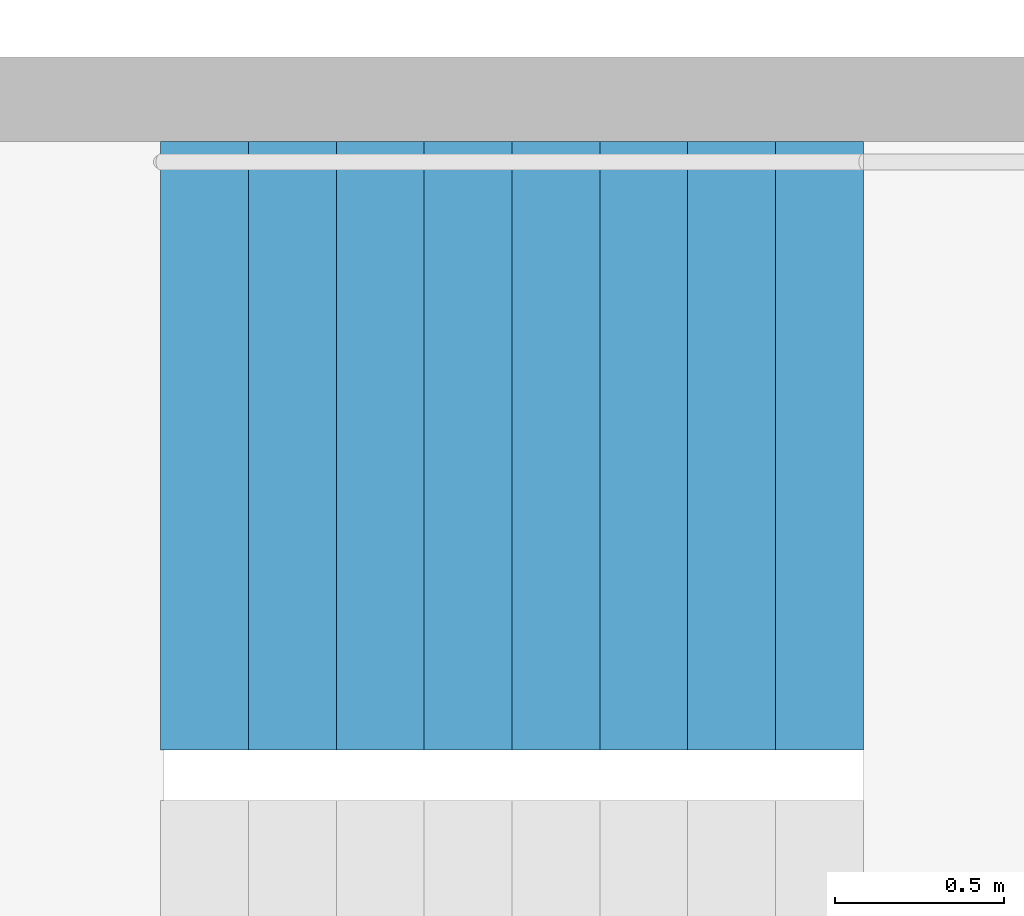
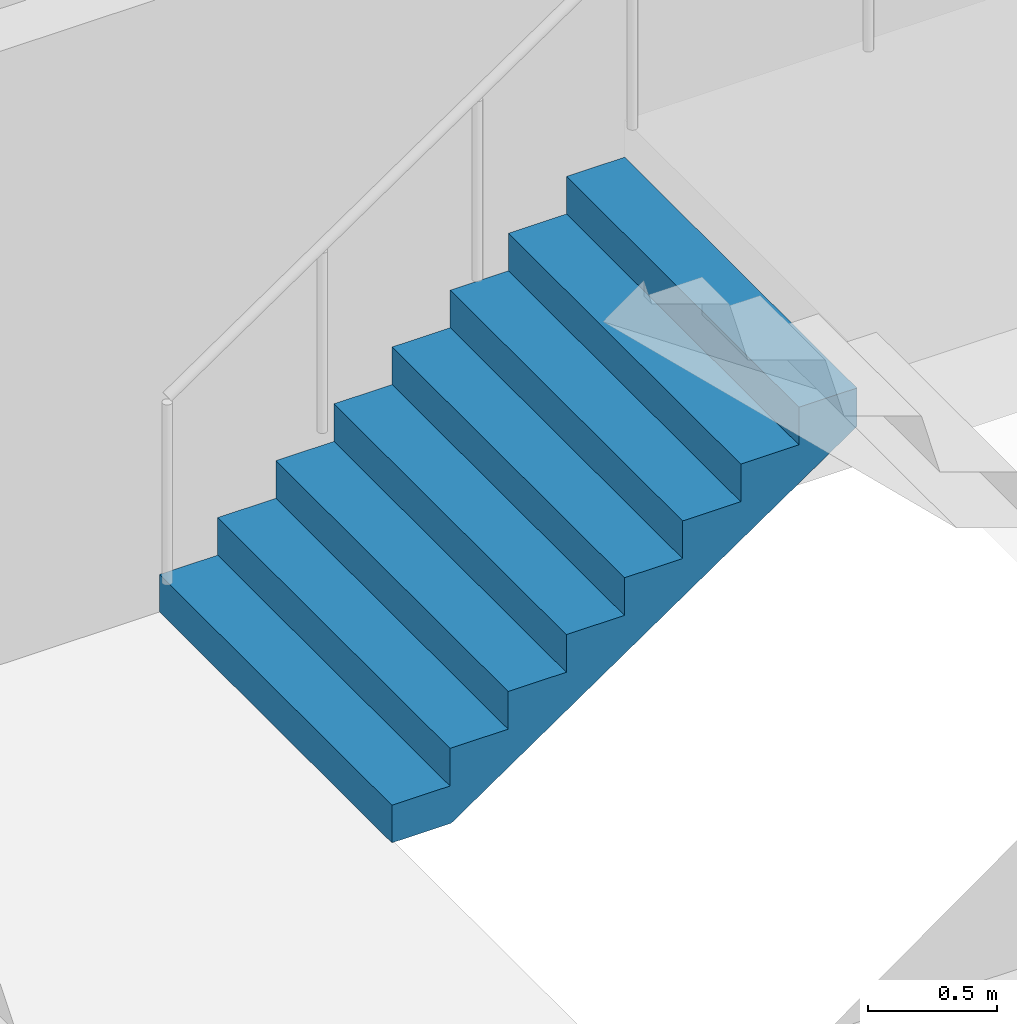
# One storey, part 26 of 29: 1 stair flight, 1 element without a shape of its own.
"""IFC4 building model written with IfcOpenShell, lengths in metres."""

import ifcopenshell
import ifcopenshell.guid

model = None  # the IFC model being written
_history = None  # IfcOwnerHistory: only IFC2X3 demands one
_inside = {}  # id of a spatial element -> (the spatial element, [elements in it])
_under = {}  # id of a project, library or spatial element -> (it, [spatial elements below it])
_declared = {}  # id of a project -> (the project, [libraries it declares])
_typed = {}  # id of a type object -> (the type object, [elements of that type])
_made_of = {}  # id of a material, layer set ... -> (it, [elements and type objects made of it])


def new_model(schema):
    """Start an empty IFC model of exactly this schema.

    Asked for "IFC4X3", IfcOpenShell would pick the latest addendum, in which some entities
    have other attributes; the version numbers below select the first issue.
    IFC2X3 requires an IfcOwnerHistory on every rooted entity: one is made here for all.
    """
    global model, _history
    if schema == "IFC4X3":
        model = ifcopenshell.file(schema_version=(4, 3, 0, 0))
    else:
        model = ifcopenshell.file(schema=schema)
    _inside.clear()
    _under.clear()
    _declared.clear()
    _typed.clear()
    _made_of.clear()
    _history = None
    if model.schema == "IFC2X3":
        org = make("IfcOrganization", Name="unknown")
        user = make(
            "IfcPersonAndOrganization",
            ThePerson=make("IfcPerson", FamilyName="unknown"),
            TheOrganization=org,
        )
        app = make(
            "IfcApplication",
            ApplicationDeveloper=org,
            Version="unknown",
            ApplicationFullName="unknown",
            ApplicationIdentifier="unknown",
        )
        _history = make(
            "IfcOwnerHistory",
            OwningUser=user,
            OwningApplication=app,
            ChangeAction="ADDED",
            CreationDate=0,
        )
    return model


def make(cls, **values):
    """One entity of the class cls with the attributes given. An attribute that is None is left unset."""
    return model.create_entity(
        cls, **{name: value for name, value in values.items() if value is not None}
    )


def rooted(cls, **values):
    """An entity with a GlobalId (a new one), such as an element, a storey or a relation."""
    return make(cls, GlobalId=ifcopenshell.guid.new(), OwnerHistory=_history, **values)


def si_unit(unit_type, name, prefix=None):
    """IfcSIUnit, for example si_unit("LENGTHUNIT", "METRE", prefix="MILLI")."""
    return make("IfcSIUnit", UnitType=unit_type, Prefix=prefix, Name=name)


def assignment(units):
    """IfcUnitAssignment: the units of a project."""
    return None if units is None else make("IfcUnitAssignment", Units=units)


def point(xyz):
    """IfcCartesianPoint."""
    return None if xyz is None else make("IfcCartesianPoint", Coordinates=xyz)


def direction(xyz):
    """IfcDirection."""
    return None if xyz is None else make("IfcDirection", DirectionRatios=xyz)


def frame(location, z_axis=None, x_axis=None):
    """IfcAxis2Placement3D, a coordinate frame: its origin and axes. An axis left out is left unset."""
    return make(
        "IfcAxis2Placement3D",
        Location=point(location),
        Axis=direction(z_axis),
        RefDirection=direction(x_axis),
    )


def origin():
    """The frame at (0, 0, 0) with its axes left unset."""
    return frame((0.0, 0.0, 0.0))


def place(relative_to, where):
    """IfcLocalPlacement: puts the frame where relative to a parent placement (None: the world)."""
    return make(
        "IfcLocalPlacement", PlacementRelTo=relative_to, RelativePlacement=where
    )


def context(
    kind, dimensions, precision=None, world=None, true_north=None, identifier=None
):
    """IfcGeometricRepresentationContext, for example the 3D "Model" context."""
    return make(
        "IfcGeometricRepresentationContext",
        ContextIdentifier=identifier,
        ContextType=kind,
        CoordinateSpaceDimension=dimensions,
        Precision=precision,
        WorldCoordinateSystem=world,
        TrueNorth=true_north,
    )


def subcontext(parent, identifier, kind, view, scale=None):
    """IfcGeometricRepresentationSubContext, for example "Body" below "Model"."""
    return make(
        "IfcGeometricRepresentationSubContext",
        ContextIdentifier=identifier,
        ContextType=kind,
        ParentContext=parent,
        TargetScale=scale,
        TargetView=view,
    )


def project(units=None, contexts=None):
    """IfcProject with its units and contexts."""
    return rooted(
        "IfcProject",
        Name="project",
        RepresentationContexts=contexts,
        UnitsInContext=assignment(units),
    )


def spatial(cls, under=None, at=None, **own):
    """A site, building, storey or space (cls), placed at a placement, below another one or the project."""
    s = rooted(cls, ObjectPlacement=at, **own)
    if under is not None:
        _under.setdefault(under.id(), (under, []))[1].append(s)
    return s


def point_list(points):
    """IfcCartesianPointList2D or 3D."""
    cls = (
        "IfcCartesianPointList2D" if len(points[0]) == 2 else "IfcCartesianPointList3D"
    )
    return make(cls, CoordList=points)


def triangles(points, corners, closed=None, point_numbers=None):
    """IfcTriangulatedFaceSet: each triangle names its three corners, points numbered from 1."""
    return make(
        "IfcTriangulatedFaceSet",
        Coordinates=point_list(points),
        Closed=closed,
        CoordIndex=corners,
        PnIndex=point_numbers,
    )


def shape(context_of_items, identifier, shape_type, items):
    """IfcShapeRepresentation: the items that make up one representation, for example the "Body"."""
    return make(
        "IfcShapeRepresentation",
        ContextOfItems=context_of_items,
        RepresentationIdentifier=identifier,
        RepresentationType=shape_type,
        Items=items,
    )


def material(Name=None, Category=None):
    """IfcMaterial."""
    return make("IfcMaterial", Name=Name, Category=Category)


def made_of(thing, what):
    """Note that an element or type object is made of a material, layer set ...; save() writes the relation."""
    if what is not None:
        _made_of.setdefault(what.id(), (what, []))[1].append(thing)
    return thing


def type_object(cls, material=None, **own):
    """A type object (cls), such as IfcWallType, which elements share."""
    return made_of(rooted(cls, **own), material)


def element(
    cls,
    number,
    at=None,
    inside=None,
    cuts=None,
    type_object=None,
    material=None,
    context=None,
    identifier="Body",
    shape_type=None,
    held_by="IfcProductDefinitionShape",
    body=None,
    shapes=None,
    **own,
):
    """One element of the class cls, such as IfcWall. Its Tag is "e" and its number.

    at: its placement. inside: the storey or other place that contains it. cuts: it is an
    opening in that element (IfcRelVoidsElement). A single representation is given by context,
    identifier, shape_type and body (its items); several are given by shapes. held_by: the class
    of the entity that holds the representations. save() writes the other relations.
    """
    e = rooted(cls, Tag="e%d" % number, ObjectPlacement=at, **own)
    if body is not None:
        shapes = [shape(context, identifier, shape_type, body)]
    if shapes is not None:
        e.Representation = make(held_by, Representations=shapes)
    if inside is not None:
        _inside.setdefault(inside.id(), (inside, []))[1].append(e)
    if cuts is not None:
        rooted(
            "IfcRelVoidsElement", RelatingBuildingElement=cuts, RelatedOpeningElement=e
        )
    if type_object is not None:
        _typed.setdefault(type_object.id(), (type_object, []))[1].append(e)
    return made_of(e, material)


def aggregate(whole, parts):
    """IfcRelAggregates: a whole, such as a stair, and the parts it consists of."""
    return rooted("IfcRelAggregates", RelatingObject=whole, RelatedObjects=parts)


def save(model, path):
    """Write the relations noted so far, then the file.

    IfcRelAggregates (storeys below a building ...), IfcRelContainedInSpatialStructure (elements
    in a storey), IfcRelDefinesByType, IfcRelAssociatesMaterial and IfcRelDeclares: one each for
    every whole, place, type object, material and project.
    """
    for whole, parts in _under.values():
        aggregate(whole, parts)
    for where, things in _inside.values():
        rooted(
            "IfcRelContainedInSpatialStructure",
            RelatedElements=things,
            RelatingStructure=where,
        )
    for kind, things in _typed.values():
        rooted("IfcRelDefinesByType", RelatedObjects=things, RelatingType=kind)
    for what, things in _made_of.values():
        rooted("IfcRelAssociatesMaterial", RelatedObjects=things, RelatingMaterial=what)
    for by, libraries in _declared.values():
        rooted("IfcRelDeclares", RelatingContext=by, RelatedDefinitions=libraries)
    model.write(path)


model = new_model("IFC4")

# Units and contexts
model_context = context("Model", 3, precision=1e-05, world=origin(), true_north=direction((0.0, 1.0)))
body_context = subcontext(model_context, "Body", "Model", "MODEL_VIEW")
ifc_project = project(units=[si_unit("LENGTHUNIT", "METRE"), si_unit("AREAUNIT", "SQUARE_METRE"), si_unit("VOLUMEUNIT", "CUBIC_METRE"), si_unit("PLANEANGLEUNIT", "RADIAN"), si_unit("MASSUNIT", "GRAM", prefix="KILO")], contexts=[model_context])

# Site, building, storey
site_placement = place(None, origin())
site = spatial("IfcSite", under=ifc_project, at=site_placement, CompositionType="ELEMENT")
building_placement = place(site_placement, origin())
building = spatial("IfcBuilding", under=site, at=building_placement, Name="Hakoniwa Tower and Hamabe Station Hall", CompositionType="ELEMENT")
storey_placement = place(building_placement, frame((0.0, 0.0, 117.0)))
storey = spatial("IfcBuildingStorey", under=building, at=storey_placement, Name="L33", CompositionType="ELEMENT", Elevation=117.0)

# Stair, stair flight
ifc_material_1 = material(Name="Concrete C40", Category="concrete")
stair_type = type_object("IfcStairType", Name="ESCAPE STAIR 1800", PredefinedType="HALF_TURN_STAIR", material=ifc_material_1)
stair_placement = place(storey_placement, origin())
stair = element("IfcStair", 1, at=stair_placement, inside=storey, type_object=stair_type, Name="Escape stair ST-4 L33", PredefinedType="HALF_TURN_STAIR")
ifc_material_2 = material(Name="Concrete C40", Category="concrete")
stair_flight_type = type_object("IfcStairFlightType", Name="STAIR FLIGHT 1800", PredefinedType="STRAIGHT", material=ifc_material_2)
stair_flight_placement = place(storey_placement, frame((23.39990234375, -4.64990234375, 0.0), z_axis=(0.0, 0.0, 1.0), x_axis=(1.0, 0.0, 0.0)))
stair_flight = element("IfcStairFlight", 2, at=stair_flight_placement, type_object=stair_flight_type, Name="ST-4 flight 1", NumberOfRisers=9, NumberOfTreads=8, PredefinedType="STRAIGHT", RiserHeight=0.177777778, TreadLength=0.26, context=body_context, shape_type="Tessellation", body=[
    triangles([(0.0, 0.89990234375, 0.0), (0.260009765625, 0.89990234375, 0.0), (0.265625, 0.89990234375, 0.0), (0.52001953125, 0.89990234375, 0.174072265625), (0.780029296875, 0.89990234375, 0.351806640625), (1.0400390625, 0.89990234375, 0.529541015625), (1.300048828125, 0.89990234375, 0.707275390625), (1.56005859375, 0.89990234375, 0.885009765625), (1.820068359375, 0.89990234375, 1.062744140625), (2.080078125, 0.89990234375, 1.24072265625), (2.080078125, 0.89990234375, 1.422119140625), (1.820068359375, 0.89990234375, 1.422119140625), (1.820068359375, 0.89990234375, 1.244384765625), (1.56005859375, 0.89990234375, 1.244384765625), (1.56005859375, 0.89990234375, 1.066650390625), (1.300048828125, 0.89990234375, 1.066650390625), (1.300048828125, 0.89990234375, 0.888916015625), (1.0400390625, 0.89990234375, 0.888916015625), (1.0400390625, 0.89990234375, 0.711181640625), (0.780029296875, 0.89990234375, 0.711181640625), (0.780029296875, 0.89990234375, 0.533447265625), (0.52001953125, 0.89990234375, 0.533447265625), (0.52001953125, 0.89990234375, 0.35546875), (0.265625, 0.89990234375, 0.35546875), (0.260009765625, 0.89990234375, 0.35546875), (0.260009765625, 0.89990234375, 0.177734375), (0.0, 0.89990234375, 0.177734375), (0.0, 0.06005859375, 0.0), (0.260009765625, 0.06005859375, 0.0), (0.265625, 0.06005859375, 0.0), (0.52001953125, 0.06005859375, 0.174072265625), (0.780029296875, 0.06005859375, 0.351806640625), (1.0400390625, 0.06005859375, 0.529541015625), (1.300048828125, 0.06005859375, 0.707275390625), (1.56005859375, 0.06005859375, 0.885009765625), (1.820068359375, 0.06005859375, 1.062744140625), (2.080078125, 0.06005859375, 1.24072265625), (2.080078125, 0.06005859375, 1.422119140625), (1.820068359375, 0.06005859375, 1.422119140625), (1.820068359375, 0.06005859375, 1.244384765625), (1.56005859375, 0.06005859375, 1.244384765625), (1.56005859375, 0.06005859375, 1.066650390625), (1.300048828125, 0.06005859375, 1.066650390625), (1.300048828125, 0.06005859375, 0.888916015625), (1.0400390625, 0.06005859375, 0.888916015625), (1.0400390625, 0.06005859375, 0.711181640625), (0.780029296875, 0.06005859375, 0.711181640625), (0.780029296875, 0.06005859375, 0.533447265625), (0.52001953125, 0.06005859375, 0.533447265625), (0.52001953125, 0.06005859375, 0.35546875), (0.265625, 0.06005859375, 0.35546875), (0.260009765625, 0.06005859375, 0.35546875), (0.260009765625, 0.06005859375, 0.177734375), (0.0, 0.06005859375, 0.177734375), (0.0, 0.04296875, 0.0), (0.260009765625, 0.04296875, 0.0), (0.265625, 0.04296875, 0.0), (0.52001953125, 0.04296875, 0.174072265625), (0.780029296875, 0.04296875, 0.351806640625), (1.0400390625, 0.04296875, 0.529541015625), (1.300048828125, 0.04296875, 0.707275390625), (1.56005859375, 0.04296875, 0.885009765625), (1.820068359375, 0.04296875, 1.062744140625), (2.080078125, 0.04296875, 1.24072265625), (2.080078125, 0.04296875, 1.422119140625), (1.820068359375, 0.04296875, 1.422119140625), (1.820068359375, 0.04296875, 1.244384765625), (1.56005859375, 0.04296875, 1.244384765625), (1.56005859375, 0.04296875, 1.066650390625), (1.300048828125, 0.04296875, 1.066650390625), (1.300048828125, 0.04296875, 0.888916015625), (1.0400390625, 0.04296875, 0.888916015625), (1.0400390625, 0.04296875, 0.711181640625), (0.780029296875, 0.04296875, 0.711181640625), (0.780029296875, 0.04296875, 0.533447265625), (0.52001953125, 0.04296875, 0.533447265625), (0.52001953125, 0.04296875, 0.35546875), (0.265625, 0.04296875, 0.35546875), (0.260009765625, 0.04296875, 0.35546875), (0.260009765625, 0.04296875, 0.177734375), (0.0, 0.04296875, 0.177734375), (0.0, 0.025634765625, 0.0), (0.260009765625, 0.025634765625, 0.0), (0.265625, 0.025634765625, 0.0), (0.52001953125, 0.025634765625, 0.174072265625), (0.780029296875, 0.025634765625, 0.351806640625), (1.0400390625, 0.025634765625, 0.529541015625), (1.300048828125, 0.025634765625, 0.707275390625), (1.56005859375, 0.025634765625, 0.885009765625), (1.820068359375, 0.025634765625, 1.062744140625), (2.080078125, 0.025634765625, 1.24072265625), (2.080078125, 0.025634765625, 1.422119140625), (1.820068359375, 0.025634765625, 1.422119140625), (1.820068359375, 0.025634765625, 1.244384765625), (1.56005859375, 0.025634765625, 1.244384765625), (1.56005859375, 0.025634765625, 1.066650390625), (1.300048828125, 0.025634765625, 1.066650390625), (1.300048828125, 0.025634765625, 0.888916015625), (1.0400390625, 0.025634765625, 0.888916015625), (1.0400390625, 0.025634765625, 0.711181640625), (0.780029296875, 0.025634765625, 0.711181640625), (0.780029296875, 0.025634765625, 0.533447265625), (0.52001953125, 0.025634765625, 0.533447265625), (0.52001953125, 0.025634765625, 0.35546875), (0.265625, 0.025634765625, 0.35546875), (0.260009765625, 0.025634765625, 0.35546875), (0.260009765625, 0.025634765625, 0.177734375), (0.0, 0.025634765625, 0.177734375), (0.0, 0.008544921875, 0.0), (0.260009765625, 0.008544921875, 0.0), (0.265625, 0.008544921875, 0.0), (0.52001953125, 0.008544921875, 0.174072265625), (0.780029296875, 0.008544921875, 0.351806640625), (1.0400390625, 0.008544921875, 0.529541015625), (1.300048828125, 0.008544921875, 0.707275390625), (1.56005859375, 0.008544921875, 0.885009765625), (1.820068359375, 0.008544921875, 1.062744140625), (2.080078125, 0.008544921875, 1.24072265625), (2.080078125, 0.008544921875, 1.422119140625), (1.820068359375, 0.008544921875, 1.422119140625), (1.820068359375, 0.008544921875, 1.244384765625), (1.56005859375, 0.008544921875, 1.244384765625), (1.56005859375, 0.008544921875, 1.066650390625), (1.300048828125, 0.008544921875, 1.066650390625), (1.300048828125, 0.008544921875, 0.888916015625), (1.0400390625, 0.008544921875, 0.888916015625), (1.0400390625, 0.008544921875, 0.711181640625), (0.780029296875, 0.008544921875, 0.711181640625), (0.780029296875, 0.008544921875, 0.533447265625), (0.52001953125, 0.008544921875, 0.533447265625), (0.52001953125, 0.008544921875, 0.35546875), (0.265625, 0.008544921875, 0.35546875), (0.260009765625, 0.008544921875, 0.35546875), (0.260009765625, 0.008544921875, 0.177734375), (0.0, 0.008544921875, 0.177734375), (0.0, -0.008544921875, 0.0), (0.260009765625, -0.008544921875, 0.0), (0.265625, -0.008544921875, 0.0), (0.52001953125, -0.008544921875, 0.174072265625), (0.780029296875, -0.008544921875, 0.351806640625), (1.0400390625, -0.008544921875, 0.529541015625), (1.300048828125, -0.008544921875, 0.707275390625), (1.56005859375, -0.008544921875, 0.885009765625), (1.820068359375, -0.008544921875, 1.062744140625), (2.080078125, -0.008544921875, 1.24072265625), (2.080078125, -0.008544921875, 1.422119140625), (1.820068359375, -0.008544921875, 1.422119140625), (1.820068359375, -0.008544921875, 1.244384765625), (1.56005859375, -0.008544921875, 1.244384765625), (1.56005859375, -0.008544921875, 1.066650390625), (1.300048828125, -0.008544921875, 1.066650390625), (1.300048828125, -0.008544921875, 0.888916015625), (1.0400390625, -0.008544921875, 0.888916015625), (1.0400390625, -0.008544921875, 0.711181640625), (0.780029296875, -0.008544921875, 0.711181640625), (0.780029296875, -0.008544921875, 0.533447265625), (0.52001953125, -0.008544921875, 0.533447265625), (0.52001953125, -0.008544921875, 0.35546875), (0.265625, -0.008544921875, 0.35546875), (0.260009765625, -0.008544921875, 0.35546875), (0.260009765625, -0.008544921875, 0.177734375), (0.0, -0.008544921875, 0.177734375), (0.0, -0.025634765625, 0.0), (0.260009765625, -0.025634765625, 0.0), (0.265625, -0.025634765625, 0.0), (0.52001953125, -0.025634765625, 0.174072265625), (0.780029296875, -0.025634765625, 0.351806640625), (1.0400390625, -0.025634765625, 0.529541015625), (1.300048828125, -0.025634765625, 0.707275390625), (1.56005859375, -0.025634765625, 0.885009765625), (1.820068359375, -0.025634765625, 1.062744140625), (2.080078125, -0.025634765625, 1.24072265625), (2.080078125, -0.025634765625, 1.422119140625), (1.820068359375, -0.025634765625, 1.422119140625), (1.820068359375, -0.025634765625, 1.244384765625), (1.56005859375, -0.025634765625, 1.244384765625), (1.56005859375, -0.025634765625, 1.066650390625), (1.300048828125, -0.025634765625, 1.066650390625), (1.300048828125, -0.025634765625, 0.888916015625), (1.0400390625, -0.025634765625, 0.888916015625), (1.0400390625, -0.025634765625, 0.711181640625), (0.780029296875, -0.025634765625, 0.711181640625), (0.780029296875, -0.025634765625, 0.533447265625), (0.52001953125, -0.025634765625, 0.533447265625), (0.52001953125, -0.025634765625, 0.35546875), (0.265625, -0.025634765625, 0.35546875), (0.260009765625, -0.025634765625, 0.35546875), (0.260009765625, -0.025634765625, 0.177734375), (0.0, -0.025634765625, 0.177734375), (0.0, -0.04296875, 0.0), (0.260009765625, -0.04296875, 0.0), (0.265625, -0.04296875, 0.0), (0.52001953125, -0.04296875, 0.174072265625), (0.780029296875, -0.04296875, 0.351806640625), (1.0400390625, -0.04296875, 0.529541015625), (1.300048828125, -0.04296875, 0.707275390625), (1.56005859375, -0.04296875, 0.885009765625), (1.820068359375, -0.04296875, 1.062744140625), (2.080078125, -0.04296875, 1.24072265625), (2.080078125, -0.04296875, 1.422119140625), (1.820068359375, -0.04296875, 1.422119140625), (1.820068359375, -0.04296875, 1.244384765625), (1.56005859375, -0.04296875, 1.244384765625), (1.56005859375, -0.04296875, 1.066650390625), (1.300048828125, -0.04296875, 1.066650390625), (1.300048828125, -0.04296875, 0.888916015625), (1.0400390625, -0.04296875, 0.888916015625), (1.0400390625, -0.04296875, 0.711181640625), (0.780029296875, -0.04296875, 0.711181640625), (0.780029296875, -0.04296875, 0.533447265625), (0.52001953125, -0.04296875, 0.533447265625), (0.52001953125, -0.04296875, 0.35546875), (0.265625, -0.04296875, 0.35546875), (0.260009765625, -0.04296875, 0.35546875), (0.260009765625, -0.04296875, 0.177734375), (0.0, -0.04296875, 0.177734375), (0.0, -0.06005859375, 0.0), (0.260009765625, -0.06005859375, 0.0), (0.265625, -0.06005859375, 0.0), (0.52001953125, -0.06005859375, 0.174072265625), (0.780029296875, -0.06005859375, 0.351806640625), (1.0400390625, -0.06005859375, 0.529541015625), (1.300048828125, -0.06005859375, 0.707275390625), (1.56005859375, -0.06005859375, 0.885009765625), (1.820068359375, -0.06005859375, 1.062744140625), (2.080078125, -0.06005859375, 1.24072265625), (2.080078125, -0.06005859375, 1.422119140625), (1.820068359375, -0.06005859375, 1.422119140625), (1.820068359375, -0.06005859375, 1.244384765625), (1.56005859375, -0.06005859375, 1.244384765625), (1.56005859375, -0.06005859375, 1.066650390625), (1.300048828125, -0.06005859375, 1.066650390625), (1.300048828125, -0.06005859375, 0.888916015625), (1.0400390625, -0.06005859375, 0.888916015625), (1.0400390625, -0.06005859375, 0.711181640625), (0.780029296875, -0.06005859375, 0.711181640625), (0.780029296875, -0.06005859375, 0.533447265625), (0.52001953125, -0.06005859375, 0.533447265625), (0.52001953125, -0.06005859375, 0.35546875), (0.265625, -0.06005859375, 0.35546875), (0.260009765625, -0.06005859375, 0.35546875), (0.260009765625, -0.06005859375, 0.177734375), (0.0, -0.06005859375, 0.177734375), (0.0, -0.89990234375, 0.0), (0.260009765625, -0.89990234375, 0.0), (0.265625, -0.89990234375, 0.0), (0.52001953125, -0.89990234375, 0.174072265625), (0.780029296875, -0.89990234375, 0.351806640625), (1.0400390625, -0.89990234375, 0.529541015625), (1.300048828125, -0.89990234375, 0.707275390625), (1.56005859375, -0.89990234375, 0.885009765625), (1.820068359375, -0.89990234375, 1.062744140625), (2.080078125, -0.89990234375, 1.24072265625), (2.080078125, -0.89990234375, 1.422119140625), (1.820068359375, -0.89990234375, 1.422119140625), (1.820068359375, -0.89990234375, 1.244384765625), (1.56005859375, -0.89990234375, 1.244384765625), (1.56005859375, -0.89990234375, 1.066650390625), (1.300048828125, -0.89990234375, 1.066650390625), (1.300048828125, -0.89990234375, 0.888916015625), (1.0400390625, -0.89990234375, 0.888916015625), (1.0400390625, -0.89990234375, 0.711181640625), (0.780029296875, -0.89990234375, 0.711181640625), (0.780029296875, -0.89990234375, 0.533447265625), (0.52001953125, -0.89990234375, 0.533447265625), (0.52001953125, -0.89990234375, 0.35546875), (0.265625, -0.89990234375, 0.35546875), (0.260009765625, -0.89990234375, 0.35546875), (0.260009765625, -0.89990234375, 0.177734375), (0.0, -0.89990234375, 0.177734375)], [[2, 27, 26], [245, 269, 270], [2, 1, 27], [245, 270, 244], [3, 25, 24], [246, 267, 268], [3, 26, 25], [246, 268, 269], [3, 2, 26], [246, 269, 245], [4, 24, 23], [247, 266, 267], [4, 3, 24], [247, 267, 246], [5, 22, 21], [248, 264, 265], [5, 23, 22], [248, 265, 266], [5, 4, 23], [248, 266, 247], [6, 20, 19], [249, 262, 263], [6, 21, 20], [249, 263, 264], [6, 5, 21], [249, 264, 248], [7, 18, 17], [250, 260, 261], [7, 19, 18], [250, 261, 262], [7, 6, 19], [250, 262, 249], [8, 16, 15], [251, 258, 259], [8, 17, 16], [251, 259, 260], [8, 7, 17], [251, 260, 250], [9, 14, 13], [252, 256, 257], [9, 15, 14], [252, 257, 258], [9, 8, 15], [252, 258, 251], [10, 12, 11], [253, 254, 255], [10, 13, 12], [253, 255, 256], [10, 9, 13], [253, 256, 252], [1, 2, 29], [1, 29, 28], [28, 29, 56], [28, 56, 55], [55, 56, 83], [55, 83, 82], [82, 83, 110], [82, 110, 109], [109, 110, 137], [109, 137, 136], [136, 137, 164], [136, 164, 163], [163, 164, 191], [163, 191, 190], [190, 191, 218], [190, 218, 217], [217, 218, 245], [217, 245, 244], [2, 3, 30], [2, 30, 29], [29, 30, 57], [29, 57, 56], [56, 57, 84], [56, 84, 83], [83, 84, 111], [83, 111, 110], [110, 111, 138], [110, 138, 137], [137, 138, 165], [137, 165, 164], [164, 165, 192], [164, 192, 191], [191, 192, 219], [191, 219, 218], [218, 219, 246], [218, 246, 245], [3, 4, 31], [3, 31, 30], [30, 31, 58], [30, 58, 57], [57, 58, 85], [57, 85, 84], [84, 85, 112], [84, 112, 111], [111, 112, 139], [111, 139, 138], [138, 139, 166], [138, 166, 165], [165, 166, 193], [165, 193, 192], [192, 193, 220], [192, 220, 219], [219, 220, 247], [219, 247, 246], [4, 5, 32], [4, 32, 31], [31, 32, 59], [31, 59, 58], [58, 59, 86], [58, 86, 85], [85, 86, 113], [85, 113, 112], [112, 113, 140], [112, 140, 139], [139, 140, 167], [139, 167, 166], [166, 167, 194], [166, 194, 193], [193, 194, 221], [193, 221, 220], [220, 221, 248], [220, 248, 247], [5, 6, 33], [5, 33, 32], [32, 33, 60], [32, 60, 59], [59, 60, 87], [59, 87, 86], [86, 87, 114], [86, 114, 113], [113, 114, 141], [113, 141, 140], [140, 141, 168], [140, 168, 167], [167, 168, 195], [167, 195, 194], [194, 195, 222], [194, 222, 221], [221, 222, 249], [221, 249, 248], [6, 7, 34], [6, 34, 33], [33, 34, 61], [33, 61, 60], [60, 61, 88], [60, 88, 87], [87, 88, 115], [87, 115, 114], [114, 115, 142], [114, 142, 141], [141, 142, 169], [141, 169, 168], [168, 169, 196], [168, 196, 195], [195, 196, 223], [195, 223, 222], [222, 223, 250], [222, 250, 249], [7, 8, 35], [7, 35, 34], [34, 35, 62], [34, 62, 61], [61, 62, 89], [61, 89, 88], [88, 89, 116], [88, 116, 115], [115, 116, 143], [115, 143, 142], [142, 143, 170], [142, 170, 169], [169, 170, 197], [169, 197, 196], [196, 197, 224], [196, 224, 223], [223, 224, 251], [223, 251, 250], [8, 9, 36], [8, 36, 35], [35, 36, 63], [35, 63, 62], [62, 63, 90], [62, 90, 89], [89, 90, 117], [89, 117, 116], [116, 117, 144], [116, 144, 143], [143, 144, 171], [143, 171, 170], [170, 171, 198], [170, 198, 197], [197, 198, 225], [197, 225, 224], [224, 225, 252], [224, 252, 251], [9, 10, 37], [9, 37, 36], [36, 37, 64], [36, 64, 63], [63, 64, 91], [63, 91, 90], [90, 91, 118], [90, 118, 117], [117, 118, 145], [117, 145, 144], [144, 145, 172], [144, 172, 171], [171, 172, 199], [171, 199, 198], [198, 199, 226], [198, 226, 225], [225, 226, 253], [225, 253, 252], [10, 11, 38], [10, 38, 37], [37, 38, 65], [37, 65, 64], [64, 65, 92], [64, 92, 91], [91, 92, 119], [91, 119, 118], [118, 119, 146], [118, 146, 145], [145, 146, 173], [145, 173, 172], [172, 173, 200], [172, 200, 199], [199, 200, 227], [199, 227, 226], [226, 227, 254], [226, 254, 253], [11, 12, 39], [11, 39, 38], [38, 39, 66], [38, 66, 65], [65, 66, 93], [65, 93, 92], [92, 93, 120], [92, 120, 119], [119, 120, 147], [119, 147, 146], [146, 147, 174], [146, 174, 173], [173, 174, 201], [173, 201, 200], [200, 201, 228], [200, 228, 227], [227, 228, 255], [227, 255, 254], [12, 13, 40], [12, 40, 39], [39, 40, 67], [39, 67, 66], [66, 67, 94], [66, 94, 93], [93, 94, 121], [93, 121, 120], [120, 121, 148], [120, 148, 147], [147, 148, 175], [147, 175, 174], [174, 175, 202], [174, 202, 201], [201, 202, 229], [201, 229, 228], [228, 229, 256], [228, 256, 255], [13, 14, 41], [13, 41, 40], [40, 41, 68], [40, 68, 67], [67, 68, 95], [67, 95, 94], [94, 95, 122], [94, 122, 121], [121, 122, 149], [121, 149, 148], [148, 149, 176], [148, 176, 175], [175, 176, 203], [175, 203, 202], [202, 203, 230], [202, 230, 229], [229, 230, 257], [229, 257, 256], [14, 15, 42], [14, 42, 41], [41, 42, 69], [41, 69, 68], [68, 69, 96], [68, 96, 95], [95, 96, 123], [95, 123, 122], [122, 123, 150], [122, 150, 149], [149, 150, 177], [149, 177, 176], [176, 177, 204], [176, 204, 203], [203, 204, 231], [203, 231, 230], [230, 231, 258], [230, 258, 257], [15, 16, 43], [15, 43, 42], [42, 43, 70], [42, 70, 69], [69, 70, 97], [69, 97, 96], [96, 97, 124], [96, 124, 123], [123, 124, 151], [123, 151, 150], [150, 151, 178], [150, 178, 177], [177, 178, 205], [177, 205, 204], [204, 205, 232], [204, 232, 231], [231, 232, 259], [231, 259, 258], [16, 17, 44], [16, 44, 43], [43, 44, 71], [43, 71, 70], [70, 71, 98], [70, 98, 97], [97, 98, 125], [97, 125, 124], [124, 125, 152], [124, 152, 151], [151, 152, 179], [151, 179, 178], [178, 179, 206], [178, 206, 205], [205, 206, 233], [205, 233, 232], [232, 233, 260], [232, 260, 259], [17, 18, 45], [17, 45, 44], [44, 45, 72], [44, 72, 71], [71, 72, 99], [71, 99, 98], [98, 99, 126], [98, 126, 125], [125, 126, 153], [125, 153, 152], [152, 153, 180], [152, 180, 179], [179, 180, 207], [179, 207, 206], [206, 207, 234], [206, 234, 233], [233, 234, 261], [233, 261, 260], [18, 19, 46], [18, 46, 45], [45, 46, 73], [45, 73, 72], [72, 73, 100], [72, 100, 99], [99, 100, 127], [99, 127, 126], [126, 127, 154], [126, 154, 153], [153, 154, 181], [153, 181, 180], [180, 181, 208], [180, 208, 207], [207, 208, 235], [207, 235, 234], [234, 235, 262], [234, 262, 261], [19, 20, 47], [19, 47, 46], [46, 47, 74], [46, 74, 73], [73, 74, 101], [73, 101, 100], [100, 101, 128], [100, 128, 127], [127, 128, 155], [127, 155, 154], [154, 155, 182], [154, 182, 181], [181, 182, 209], [181, 209, 208], [208, 209, 236], [208, 236, 235], [235, 236, 263], [235, 263, 262], [20, 21, 48], [20, 48, 47], [47, 48, 75], [47, 75, 74], [74, 75, 102], [74, 102, 101], [101, 102, 129], [101, 129, 128], [128, 129, 156], [128, 156, 155], [155, 156, 183], [155, 183, 182], [182, 183, 210], [182, 210, 209], [209, 210, 237], [209, 237, 236], [236, 237, 264], [236, 264, 263], [21, 22, 49], [21, 49, 48], [48, 49, 76], [48, 76, 75], [75, 76, 103], [75, 103, 102], [102, 103, 130], [102, 130, 129], [129, 130, 157], [129, 157, 156], [156, 157, 184], [156, 184, 183], [183, 184, 211], [183, 211, 210], [210, 211, 238], [210, 238, 237], [237, 238, 265], [237, 265, 264], [22, 23, 50], [22, 50, 49], [49, 50, 77], [49, 77, 76], [76, 77, 104], [76, 104, 103], [103, 104, 131], [103, 131, 130], [130, 131, 158], [130, 158, 157], [157, 158, 185], [157, 185, 184], [184, 185, 212], [184, 212, 211], [211, 212, 239], [211, 239, 238], [238, 239, 266], [238, 266, 265], [23, 24, 51], [23, 51, 50], [50, 51, 78], [50, 78, 77], [77, 78, 105], [77, 105, 104], [104, 105, 132], [104, 132, 131], [131, 132, 159], [131, 159, 158], [158, 159, 186], [158, 186, 185], [185, 186, 213], [185, 213, 212], [212, 213, 240], [212, 240, 239], [239, 240, 267], [239, 267, 266], [24, 25, 52], [24, 52, 51], [51, 52, 79], [51, 79, 78], [78, 79, 106], [78, 106, 105], [105, 106, 133], [105, 133, 132], [132, 133, 160], [132, 160, 159], [159, 160, 187], [159, 187, 186], [186, 187, 214], [186, 214, 213], [213, 214, 241], [213, 241, 240], [240, 241, 268], [240, 268, 267], [25, 26, 53], [25, 53, 52], [52, 53, 80], [52, 80, 79], [79, 80, 107], [79, 107, 106], [106, 107, 134], [106, 134, 133], [133, 134, 161], [133, 161, 160], [160, 161, 188], [160, 188, 187], [187, 188, 215], [187, 215, 214], [214, 215, 242], [214, 242, 241], [241, 242, 269], [241, 269, 268], [26, 27, 54], [26, 54, 53], [53, 54, 81], [53, 81, 80], [80, 81, 108], [80, 108, 107], [107, 108, 135], [107, 135, 134], [134, 135, 162], [134, 162, 161], [161, 162, 189], [161, 189, 188], [188, 189, 216], [188, 216, 215], [215, 216, 243], [215, 243, 242], [242, 243, 270], [242, 270, 269], [27, 1, 28], [27, 28, 54], [54, 28, 55], [54, 55, 81], [81, 55, 82], [81, 82, 108], [108, 82, 109], [108, 109, 135], [135, 109, 136], [135, 136, 162], [162, 136, 163], [162, 163, 189], [189, 163, 190], [189, 190, 216], [216, 190, 217], [216, 217, 243], [243, 217, 244], [243, 244, 270]], closed=True),
])
aggregate(stair, [stair_flight])

save(model, "model.ifc")
